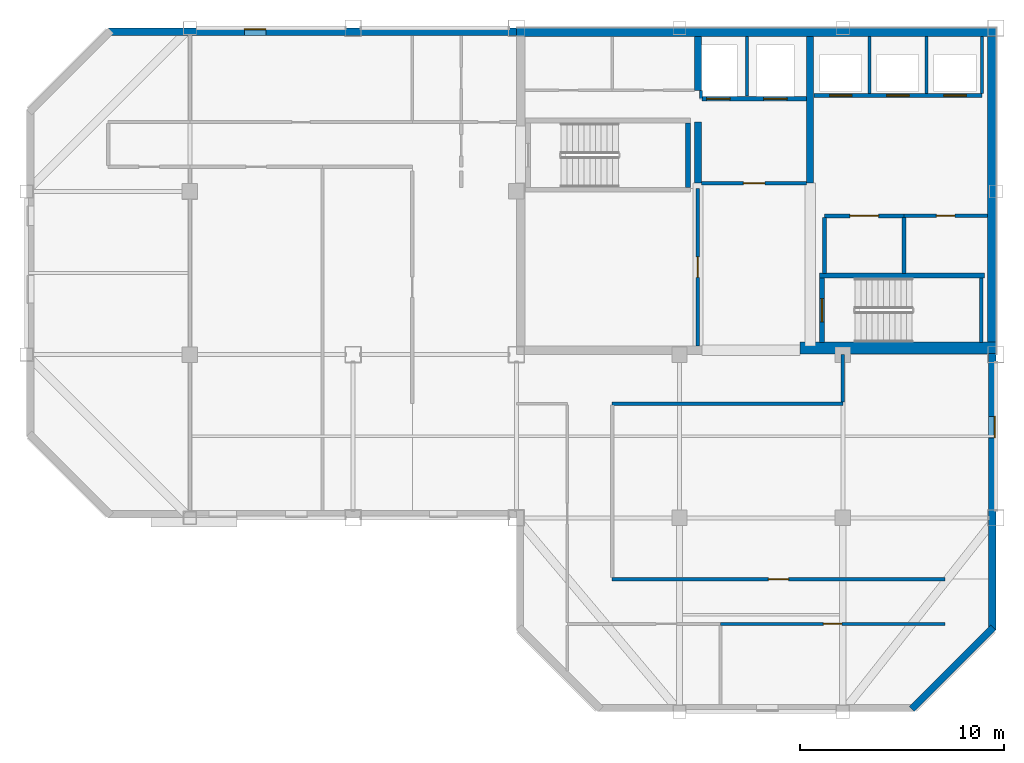
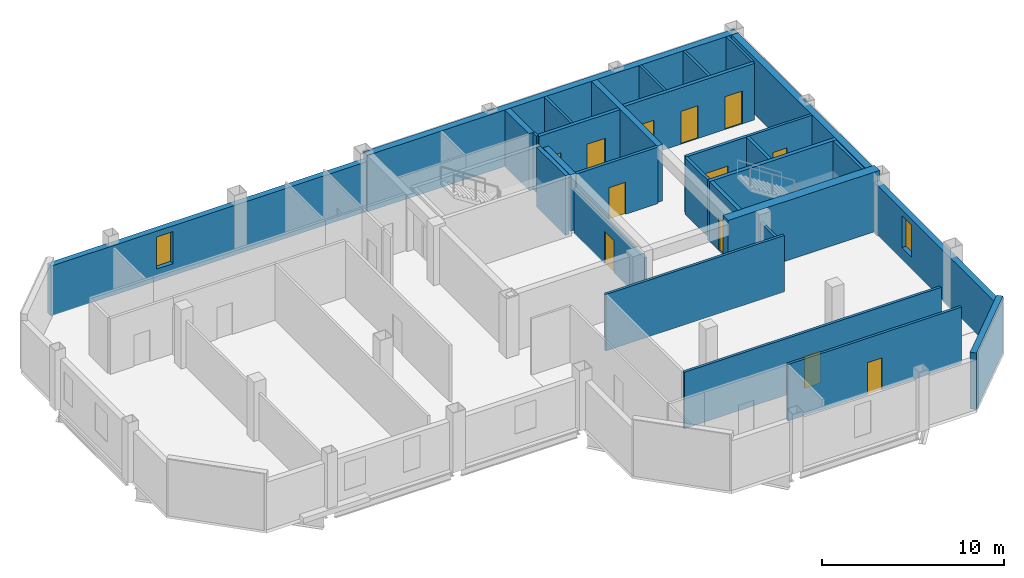
# One storey, part 3 of 7: 30 walls, 12 doors, 2 windows, 14 openings.
"""IFC4 building model written with IfcOpenShell, lengths in metres."""

from ifc_helpers import new_model, si_unit, direction, frame, frame_2d, origin, place, context, subcontext, project, spatial, rectangle, extrude, material, layer, layer_set, type_object, element, fill, save


model = new_model("IFC4")

# Units and contexts
model_context = context("Model", 3, precision=1e-05, world=origin(), true_north=direction((0.0, 1.0)))
body_context = subcontext(model_context, "Body", "Model", "MODEL_VIEW")
ifc_project = project(units=[si_unit("LENGTHUNIT", "METRE"), si_unit("AREAUNIT", "SQUARE_METRE"), si_unit("VOLUMEUNIT", "CUBIC_METRE"), si_unit("PLANEANGLEUNIT", "RADIAN"), si_unit("MASSUNIT", "GRAM", prefix="KILO")], contexts=[model_context])

# Site, building, storey
site_placement = place(None, origin())
site = spatial("IfcSite", under=ifc_project, at=site_placement, CompositionType="ELEMENT")
building_placement = place(site_placement, origin())
building = spatial("IfcBuilding", under=site, at=building_placement, Name="Qianrong Seaharbour Tower", CompositionType="ELEMENT")
storey_placement = place(building_placement, frame((0.0, 0.0, 315.199951171875)))
storey = spatial("IfcBuildingStorey", under=building, at=storey_placement, Name="L76", CompositionType="ELEMENT", Elevation=315.199951171875)

# Walls
ifc_material_1 = material(Name="Concrete C50/60", Category="concrete")
ifc_layer_1 = layer(ifc_material_1, 0.419921875)
ifc_layer_set_1 = layer_set([ifc_layer_1], Name="Concrete C50/60")
wall_type_1 = type_object("IfcWallType", Name="WALL-CORE-420", PredefinedType="SHEAR", material=ifc_layer_set_1)
wall_1_placement = place(storey_placement, frame((40.5, 51.7900390625, 0.0), z_axis=(0.0, 0.0, 1.0), x_axis=(1.0, 0.0, 0.0)))
element("IfcWall", 1, at=wall_1_placement, inside=storey, type_object=wall_type_1, Name="L76 North Core Shear Wall", PredefinedType="SHEAR", context=body_context, shape_type="SweptSolid", body=[
    extrude(rectangle(XDim=23.5, YDim=0.419921875, at=frame_2d((11.75, 0.0))), origin(), (0.0, 0.0, 1.0), 3.78515625),
])
wall_2_placement = place(storey_placement, frame((63.7900390625, 36.320068359375, 0.0), z_axis=(0.0, 0.0, 1.0), x_axis=(0.0, 1.0, 0.0)))
element("IfcWall", 2, at=wall_2_placement, inside=storey, type_object=wall_type_1, Name="L76 East Core Shear Wall", PredefinedType="SHEAR", context=body_context, shape_type="SweptSolid", body=[
    extrude(rectangle(XDim=15.260009765625, YDim=0.419921875, at=frame_2d((7.6298828125, 0.0))), origin(), (0.0, 0.0, 1.0), 3.78515625),
])
ifc_material_2 = material(Name="Concrete C70/85", Category="concrete")
ifc_layer_2 = layer(ifc_material_2, 0.580078125)
ifc_layer_set_2 = layer_set([ifc_layer_2], Name="Concrete C70/85")
wall_type_2 = type_object("IfcWallType", Name="WALL-CORE-580", PredefinedType="SHEAR", material=ifc_layer_set_2)
wall_3_placement = place(storey_placement, frame((54.39990234375, 36.320068359375, 0.0), z_axis=(0.0, 0.0, 1.0), x_axis=(1.0, 0.0, 0.0)))
element("IfcWall", 3, at=wall_3_placement, inside=storey, type_object=wall_type_2, Name="L76 South Core Shear Wall S3", PredefinedType="SHEAR", context=body_context, shape_type="SweptSolid", body=[
    extrude(rectangle(XDim=9.60009765625, YDim=0.580078125, at=frame_2d((4.800048828125, 0.0))), origin(), (0.0, 0.0, 1.0), 4.0),
])
ifc_layer_3 = layer(ifc_material_1, 0.35009765625)
ifc_layer_set_3 = layer_set([ifc_layer_3], Name="Concrete C50/60")
wall_type_3 = type_object("IfcWallType", Name="WALL-CORE-INT-350", PredefinedType="SHEAR", material=ifc_layer_set_3)
wall_4_placement = place(storey_placement, frame((49.39990234375, 44.39990234375, 0.0), z_axis=(0.0, 0.0, 1.0), x_axis=(0.0, 1.0, 0.0)))
element("IfcWall", 4, at=wall_4_placement, inside=storey, type_object=wall_type_3, Name="L76 Internal Core Shear Wall IW1N1", PredefinedType="SHEAR", context=body_context, shape_type="SweptSolid", body=[
    extrude(rectangle(XDim=3.0, YDim=0.35009765625, at=frame_2d((1.5, 0.0))), origin(), (0.0, 0.0, 1.0), 3.78515625),
])
wall_5_placement = place(storey_placement, frame((49.39990234375, 48.949951171875, 0.0), z_axis=(0.0, 0.0, 1.0), x_axis=(0.0, 1.0, 0.0)))
element("IfcWall", 5, at=wall_5_placement, inside=storey, type_object=wall_type_3, Name="L76 Internal Core Shear Wall IW1N2", PredefinedType="SHEAR", context=body_context, shape_type="SweptSolid", body=[
    extrude(rectangle(XDim=2.630126953125, YDim=0.35009765625, at=frame_2d((1.31494140625, 0.0))), origin(), (0.0, 0.0, 1.0), 3.78515625),
])
wall_6_placement = place(storey_placement, frame((54.89990234375, 44.39990234375, 0.0), z_axis=(0.0, 0.0, 1.0), x_axis=(0.0, 1.0, 0.0)))
element("IfcWall", 6, at=wall_6_placement, inside=storey, type_object=wall_type_3, Name="L76 Internal Core Shear Wall IW2N", PredefinedType="SHEAR", context=body_context, shape_type="SweptSolid", body=[
    extrude(rectangle(XDim=7.18017578125, YDim=0.35009765625, at=frame_2d((3.590087890625, 0.0))), origin(), (0.0, 0.0, 1.0), 3.78515625),
])

# Wall, opening, door
ifc_material_3 = material(Name="Fire-rated acoustic gypsum board partition")
ifc_layer_4 = layer(ifc_material_3, 0.1650390625)
ifc_layer_set_4 = layer_set([ifc_layer_4], Name="Fire-rated acoustic gypsum board partition")
wall_type_4 = type_object("IfcWallType", Name="WALL-CORR-PART-165", PredefinedType="PARTITIONING", material=ifc_layer_set_4)
wall_7_placement = place(storey_placement, frame((49.39990234375, 36.419921875, 0.0), z_axis=(0.0, 0.0, 1.0), x_axis=(0.0, 1.0, 0.0)))
wall_7 = element("IfcWall", 7, at=wall_7_placement, inside=storey, type_object=wall_type_4, Name="L76 Interior Partition Wall 010", PredefinedType="PARTITIONING", context=body_context, shape_type="SweptSolid", body=[
    extrude(rectangle(XDim=7.72998046875, YDim=0.1650390625, at=frame_2d((3.864990234375, 0.0))), origin(), (0.0, 0.0, 1.0), 3.027099609375),
])
opening_1_placement = place(wall_7_placement, frame((3.364990234375, 0.0, 0.0)))
opening_1 = element("IfcOpeningElement", 8, at=opening_1_placement, cuts=wall_7, Name="Opening DO-01", PredefinedType="OPENING", context=body_context, shape_type="SweptSolid", body=[
    extrude(rectangle(XDim=1.0, YDim=2.14990234375, at=frame_2d((0.5, 1.074951171875))), frame((0.0, 0.092529296875, 0.0), z_axis=(0.0, -1.0, 0.0), x_axis=(1.0, 0.0, 0.0)), (0.0, 0.0, 1.0), 0.18505859375),
])
ifc_material_4 = material(Name="Acoustic timber and galvanized steel fire door assembly", Category="steel")
door_type_1 = type_object("IfcDoorType", Name="DOOR-OFFICE-1000x2150", OperationType="NOTDEFINED", PredefinedType="DOOR", material=ifc_material_4)
door_1_placement = place(opening_1_placement, origin())
door_1 = element("IfcDoor", 9, at=door_1_placement, inside=storey, type_object=door_type_1, Name="L76 Data Systems Office Door", OperationType="SINGLE_SWING_RIGHT", OverallHeight=2.14990234375, OverallWidth=1.0, PredefinedType="DOOR", context=body_context, shape_type="SweptSolid", body=[
    extrude(rectangle(XDim=1.0, YDim=2.14990234375, at=frame_2d((0.5, 1.074951171875))), frame((0.0, 0.02490234375, 0.0), z_axis=(0.0, -1.0, 0.0), x_axis=(1.0, 0.0, 0.0)), (0.0, 0.0, 1.0), 0.050048828125),
])
fill(opening_1, door_1)

wall_8_placement = place(storey_placement, frame((63.580078125, 42.800048828125, 0.0), z_axis=(0.0, 0.0, 1.0), x_axis=(-1.0, 0.0, 0.0)))
wall_8 = element("IfcWall", 10, at=wall_8_placement, inside=storey, type_object=wall_type_4, Name="L76 Interior Partition Wall 013", PredefinedType="PARTITIONING", context=body_context, shape_type="SweptSolid", body=[
    extrude(rectangle(XDim=4.080078125, YDim=0.1650390625, at=frame_2d((2.0400390625, 0.0))), origin(), (0.0, 0.0, 1.0), 3.78515625),
])
opening_2_placement = place(wall_8_placement, frame((1.590087890625, 0.0, 0.0)))
opening_2 = element("IfcOpeningElement", 11, at=opening_2_placement, cuts=wall_8, Name="Opening DS-01", PredefinedType="OPENING", context=body_context, shape_type="SweptSolid", body=[
    extrude(rectangle(XDim=0.89990234375, YDim=2.14990234375, at=frame_2d((0.449951171875, 1.074951171875))), frame((0.0, 0.092529296875, 0.0), z_axis=(0.0, -1.0, 0.0), x_axis=(1.0, 0.0, 0.0)), (0.0, 0.0, 1.0), 0.18505859375),
])
door_type_2 = type_object("IfcDoorType", Name="DOOR-STORE-900x2150", OperationType="NOTDEFINED", PredefinedType="DOOR", material=ifc_material_4)
door_2_placement = place(opening_2_placement, origin())
door_2 = element("IfcDoor", 12, at=door_2_placement, inside=storey, type_object=door_type_2, Name="L76 Cleaner Store Room Door", OperationType="SINGLE_SWING_LEFT", OverallHeight=2.14990234375, OverallWidth=0.89990234375, PredefinedType="DOOR", context=body_context, shape_type="SweptSolid", body=[
    extrude(rectangle(XDim=0.89990234375, YDim=2.14990234375, at=frame_2d((0.449951171875, 1.074951171875))), frame((0.0, 0.02490234375, 0.0), z_axis=(0.0, -1.0, 0.0), x_axis=(1.0, 0.0, 0.0)), (0.0, 0.0, 1.0), 0.050048828125),
])
fill(opening_2, door_2)

# Walls
wall_9_placement = place(storey_placement, frame((56.5, 36.0, 0.0), z_axis=(0.0, 0.0, 1.0), x_axis=(0.0, -1.0, 0.0)))
element("IfcWall", 13, at=wall_9_placement, inside=storey, type_object=wall_type_4, Name="L76 Interior Partition Wall 023", PredefinedType="PARTITIONING", context=body_context, shape_type="SweptSolid", body=[
    extrude(rectangle(XDim=2.325439453125, YDim=0.1650390625, at=frame_2d((1.16259765625, 0.0))), origin(), (0.0, 0.0, 1.0), 3.177001953125),
])
wall_10_placement = place(storey_placement, frame((56.5, 33.60009765625, 0.0), z_axis=(0.0, 0.0, 1.0), x_axis=(-1.0, 0.0, 0.0)))
element("IfcWall", 14, at=wall_10_placement, inside=storey, type_object=wall_type_4, Name="L76 Interior Partition Wall 024", PredefinedType="PARTITIONING", context=body_context, shape_type="SweptSolid", body=[
    extrude(rectangle(XDim=11.300048828125, YDim=0.1650390625, at=frame_2d((5.64990234375, 0.0))), origin(), (0.0, 0.0, 1.0), 3.78515625),
])

# Wall, opening, door
wall_11_placement = place(storey_placement, frame((45.199951171875, 25.0, 0.0), z_axis=(0.0, 0.0, 1.0), x_axis=(1.0, 0.0, 0.0)))
wall_11 = element("IfcWall", 15, at=wall_11_placement, inside=storey, type_object=wall_type_4, Name="L76 Interior Partition Wall 029", PredefinedType="PARTITIONING", context=body_context, shape_type="SweptSolid", body=[
    extrude(rectangle(XDim=16.300048828125, YDim=0.1650390625, at=frame_2d((8.14990234375, 0.0))), origin(), (0.0, 0.0, 1.0), 3.78515625),
])
opening_3_placement = place(wall_11_placement, frame((7.64990234375, 0.0, 0.0)))
opening_3 = element("IfcOpeningElement", 16, at=opening_3_placement, cuts=wall_11, Name="Opening DO-01", PredefinedType="OPENING", context=body_context, shape_type="SweptSolid", body=[
    extrude(rectangle(XDim=1.0, YDim=2.14990234375, at=frame_2d((0.5, 1.074951171875))), frame((0.0, 0.092529296875, 0.0), z_axis=(0.0, -1.0, 0.0), x_axis=(1.0, 0.0, 0.0)), (0.0, 0.0, 1.0), 0.18505859375),
])
door_3_placement = place(opening_3_placement, origin())
door_3 = element("IfcDoor", 17, at=door_3_placement, inside=storey, type_object=door_type_1, Name="L76 Staff Club Assembly Hall Door", OperationType="SINGLE_SWING_RIGHT", OverallHeight=2.14990234375, OverallWidth=1.0, PredefinedType="DOOR", context=body_context, shape_type="SweptSolid", body=[
    extrude(rectangle(XDim=1.0, YDim=2.14990234375, at=frame_2d((0.5, 1.074951171875))), frame((0.0, 0.02490234375, 0.0), z_axis=(0.0, -1.0, 0.0), x_axis=(1.0, 0.0, 0.0)), (0.0, 0.0, 1.0), 0.050048828125),
])
fill(opening_3, door_3)

wall_12_placement = place(storey_placement, frame((61.5, 22.800048828125, 0.0), z_axis=(0.0, 0.0, 1.0), x_axis=(-1.0, 0.0, 0.0)))
wall_12 = element("IfcWall", 18, at=wall_12_placement, inside=storey, type_object=wall_type_4, Name="L76 Interior Partition Wall 031", PredefinedType="PARTITIONING", context=body_context, shape_type="SweptSolid", body=[
    extrude(rectangle(XDim=11.0, YDim=0.1650390625, at=frame_2d((5.5, 0.0))), origin(), (0.0, 0.0, 1.0), 3.78515625),
])
opening_4_placement = place(wall_12_placement, frame((5.050048828125, 0.0, 0.0)))
opening_4 = element("IfcOpeningElement", 19, at=opening_4_placement, cuts=wall_12, Name="Opening DS-01", PredefinedType="OPENING", context=body_context, shape_type="SweptSolid", body=[
    extrude(rectangle(XDim=0.89990234375, YDim=2.14990234375, at=frame_2d((0.449951171875, 1.074951171875))), frame((0.0, 0.092529296875, 0.0), z_axis=(0.0, -1.0, 0.0), x_axis=(1.0, 0.0, 0.0)), (0.0, 0.0, 1.0), 0.18505859375),
])
door_4_placement = place(opening_4_placement, origin())
door_4 = element("IfcDoor", 20, at=door_4_placement, inside=storey, type_object=door_type_2, Name="L76 Corporate Archive Room 2 Door", OperationType="SINGLE_SWING_LEFT", OverallHeight=2.14990234375, OverallWidth=0.89990234375, PredefinedType="DOOR", context=body_context, shape_type="SweptSolid", body=[
    extrude(rectangle(XDim=0.89990234375, YDim=2.14990234375, at=frame_2d((0.449951171875, 1.074951171875))), frame((0.0, 0.02490234375, 0.0), z_axis=(0.0, -1.0, 0.0), x_axis=(1.0, 0.0, 0.0)), (0.0, 0.0, 1.0), 0.050048828125),
])
fill(opening_4, door_4)

# Wall, opening, window
ifc_material_5 = material(Name="Unitised red brick on Precast concrete C45/55", Category="masonry")
ifc_layer_5 = layer(ifc_material_5, 0.360107421875)
ifc_layer_set_5 = layer_set([ifc_layer_5], Name="Unitised red brick on Precast concrete C45/55")
wall_type_5 = type_object("IfcWallType", Name="WALL-EXT-BRICK-RED-360", PredefinedType="SOLIDWALL", material=ifc_layer_set_5)
wall_13_placement = place(storey_placement, frame((20.5, 51.820068359375, 0.0), z_axis=(0.0, 0.0, 1.0), x_axis=(1.0, 0.0, 0.0)))
wall_13 = element("IfcWall", 21, at=wall_13_placement, inside=storey, type_object=wall_type_5, Name="L76 Exterior Masonry Facade Wall NORTH_WING", PredefinedType="SOLIDWALL", context=body_context, shape_type="SweptSolid", body=[
    extrude(rectangle(XDim=20.02001953125, YDim=0.360107421875, at=frame_2d((10.010009765625, 0.0))), origin(), (0.0, 0.0, 1.0), 3.3349609375),
])
opening_5_placement = place(wall_13_placement, frame((6.675048828125, 0.0, 0.800048828125)))
opening_5 = element("IfcOpeningElement", 22, at=opening_5_placement, cuts=wall_13, Name="Opening WN-14", PredefinedType="OPENING", context=body_context, shape_type="SweptSolid", body=[
    extrude(rectangle(XDim=1.050048828125, YDim=2.14990234375, at=frame_2d((0.52490234375, 1.074951171875))), frame((0.0, 0.18994140625, 0.0), z_axis=(0.0, -1.0, 0.0), x_axis=(1.0, 0.0, 0.0)), (0.0, 0.0, 1.0), 0.380126953125),
])
ifc_material_6 = material(Name="Insulated low-e double glazing in thermally broken aluminium 6063-T6 frame", Category="aluminium")
window_type = type_object("IfcWindowType", Name="WIN-NARROW-1050x2150", PartitioningType="SINGLE_PANEL", PredefinedType="WINDOW", material=ifc_material_6)
window_1_placement = place(opening_5_placement, origin())
window_1 = element("IfcWindow", 23, at=window_1_placement, inside=storey, type_object=window_type, Name="L76 Deep-Set Punched Window 05.02", OverallHeight=2.14990234375, OverallWidth=1.050048828125, PartitioningType="SINGLE_PANEL", PredefinedType="WINDOW", context=body_context, shape_type="SweptSolid", body=[
    extrude(rectangle(XDim=1.050048828125, YDim=2.14990234375, at=frame_2d((0.52490234375, 1.074951171875))), frame((0.0, 0.150146484375, 0.0), z_axis=(0.0, -1.0, 0.0), x_axis=(1.0, 0.0, 0.0)), (0.0, 0.0, 1.0), 0.06005859375),
])
fill(opening_5, window_1)

wall_14_placement = place(storey_placement, frame((63.820068359375, 36.050048828125, 0.0), z_axis=(0.0, 0.0, 1.0), x_axis=(0.0, -1.0, 0.0)))
wall_14 = element("IfcWall", 24, at=wall_14_placement, inside=storey, type_object=wall_type_5, Name="L76 Exterior Masonry Facade Wall EAST_WING", PredefinedType="SOLIDWALL", context=body_context, shape_type="SweptSolid", body=[
    extrude(rectangle(XDim=13.550048828125, YDim=0.360107421875, at=frame_2d((6.77490234375, 0.0))), origin(), (0.0, 0.0, 1.0), 3.3349609375),
])
opening_6_placement = place(wall_14_placement, frame((3.074951171875, 0.0, 0.800048828125)))
opening_6 = element("IfcOpeningElement", 25, at=opening_6_placement, cuts=wall_14, Name="Opening WN-14", PredefinedType="OPENING", context=body_context, shape_type="SweptSolid", body=[
    extrude(rectangle(XDim=1.050048828125, YDim=2.14990234375, at=frame_2d((0.52490234375, 1.074951171875))), frame((0.0, 0.18994140625, 0.0), z_axis=(0.0, -1.0, 0.0), x_axis=(1.0, 0.0, 0.0)), (0.0, 0.0, 1.0), 0.380126953125),
])
window_2_placement = place(opening_6_placement, origin())
window_2 = element("IfcWindow", 26, at=window_2_placement, inside=storey, type_object=window_type, Name="L76 Deep-Set Punched Window 06.01", OverallHeight=2.14990234375, OverallWidth=1.050048828125, PartitioningType="SINGLE_PANEL", PredefinedType="WINDOW", context=body_context, shape_type="SweptSolid", body=[
    extrude(rectangle(XDim=1.050048828125, YDim=2.14990234375, at=frame_2d((0.52490234375, 1.074951171875))), frame((0.0, 0.150146484375, 0.0), z_axis=(0.0, -1.0, 0.0), x_axis=(1.0, 0.0, 0.0)), (0.0, 0.0, 1.0), 0.06005859375),
])
fill(opening_6, window_2)

# Wall
wall_15_placement = place(storey_placement, frame((63.872802734375, 22.627197265625, 0.0), z_axis=(0.0, 0.0, 1.0), x_axis=(-0.707106781187, -0.707106781187, 0.0)))
element("IfcWall", 27, at=wall_15_placement, inside=storey, type_object=wall_type_5, Name="L76 Exterior Masonry Facade Wall E07", PredefinedType="SOLIDWALL", context=body_context, shape_type="SweptSolid", body=[
    extrude(rectangle(XDim=5.65673828125, YDim=0.360107421875, at=frame_2d((2.828369140625, 0.0))), origin(), (0.0, 0.0, 1.0), 3.78515625),
])

# Wall, opening, door
ifc_material_7 = material(Name="Double fire-rated gypsum board acoustic partition")
ifc_layer_6 = layer(ifc_material_7, 0.18994140625)
ifc_layer_set_6 = layer_set([ifc_layer_6], Name="Double fire-rated gypsum board acoustic partition")
wall_type_6 = type_object("IfcWallType", Name="WALL-FIRE-PART-190", PredefinedType="PARTITIONING", material=ifc_layer_set_6)
wall_16_placement = place(storey_placement, frame((54.73291015625, 44.39990234375, 0.0), z_axis=(0.0, 0.0, 1.0), x_axis=(-1.0, 0.0, 0.0)))
wall_16 = element("IfcWall", 28, at=wall_16_placement, inside=storey, type_object=wall_type_6, Name="L76 Interior Partition Wall 009", PredefinedType="PARTITIONING", context=body_context, shape_type="SweptSolid", body=[
    extrude(rectangle(XDim=5.166015625, YDim=0.18994140625, at=frame_2d((2.5830078125, 0.0))), origin(), (0.0, 0.0, 1.0), 3.78515625),
])
opening_7_placement = place(wall_16_placement, frame((2.05810546875, 0.0, 0.0)))
opening_7 = element("IfcOpeningElement", 29, at=opening_7_placement, cuts=wall_16, Name="Opening DC-01", PredefinedType="OPENING", context=body_context, shape_type="SweptSolid", body=[
    extrude(rectangle(XDim=1.050048828125, YDim=2.14990234375, at=frame_2d((0.52490234375, 1.074951171875))), frame((0.0, 0.10498046875, 0.0), z_axis=(0.0, -1.0, 0.0), x_axis=(1.0, 0.0, 0.0)), (0.0, 0.0, 1.0), 0.2099609375),
])
door_type_3 = type_object("IfcDoorType", Name="DOOR-CORR-FD60-1050x2150", OperationType="NOTDEFINED", PredefinedType="DOOR", material=ifc_material_4)
door_5_placement = place(opening_7_placement, origin())
door_5 = element("IfcDoor", 30, at=door_5_placement, inside=storey, type_object=door_type_3, Name="L76 Firefighting Lift Lobby Door", OperationType="SINGLE_SWING_LEFT", OverallHeight=2.14990234375, OverallWidth=1.050048828125, PredefinedType="DOOR", context=body_context, shape_type="SweptSolid", body=[
    extrude(rectangle(XDim=1.050048828125, YDim=2.14990234375, at=frame_2d((0.52490234375, 1.074951171875))), frame((0.0, 0.02490234375, 0.0), z_axis=(0.0, -1.0, 0.0), x_axis=(1.0, 0.0, 0.0)), (0.0, 0.0, 1.0), 0.050048828125),
])
fill(opening_7, door_5)

# Wall
wall_17_placement = place(storey_placement, frame((55.60009765625, 42.712890625, 0.0), z_axis=(0.0, 0.0, 1.0), x_axis=(0.0, -1.0, 0.0)))
element("IfcWall", 31, at=wall_17_placement, inside=storey, type_object=wall_type_6, Name="L76 Interior Partition Wall 011", PredefinedType="PARTITIONING", context=body_context, shape_type="SweptSolid", body=[
    extrude(rectangle(XDim=2.73095703125, YDim=0.18994140625, at=frame_2d((1.365478515625, 0.0))), origin(), (0.0, 0.0, 1.0), 3.78515625),
])

# Wall, opening, door
wall_18_placement = place(storey_placement, frame((59.5, 42.800048828125, 0.0), z_axis=(0.0, 0.0, 1.0), x_axis=(-1.0, 0.0, 0.0)))
wall_18 = element("IfcWall", 32, at=wall_18_placement, inside=storey, type_object=wall_type_6, Name="L76 Interior Partition Wall 012", PredefinedType="PARTITIONING", context=body_context, shape_type="SweptSolid", body=[
    extrude(rectangle(XDim=3.89990234375, YDim=0.18994140625, at=frame_2d((1.949951171875, 0.0))), origin(), (0.0, 0.0, 1.0), 3.78515625),
])
opening_8_placement = place(wall_18_placement, frame((1.25, 0.0, 0.0)))
opening_8 = element("IfcOpeningElement", 33, at=opening_8_placement, cuts=wall_18, Name="Opening DP-01", PredefinedType="OPENING", context=body_context, shape_type="SweptSolid", body=[
    extrude(rectangle(XDim=1.39990234375, YDim=2.25, at=frame_2d((0.699951171875, 1.125))), frame((0.0, 0.10498046875, 0.0), z_axis=(0.0, -1.0, 0.0), x_axis=(1.0, 0.0, 0.0)), (0.0, 0.0, 1.0), 0.2099609375),
])
door_type_4 = type_object("IfcDoorType", Name="DOOR-PLANT-PAIR-1400x2250", OperationType="DOUBLE_DOOR_SINGLE_SWING", PredefinedType="DOOR", material=ifc_material_4)
door_6_placement = place(opening_8_placement, origin())
door_6 = element("IfcDoor", 34, at=door_6_placement, inside=storey, type_object=door_type_4, Name="L76 Electrical Substation Door", OperationType="DOUBLE_DOOR_SINGLE_SWING", OverallHeight=2.25, OverallWidth=1.39990234375, PredefinedType="DOOR", context=body_context, shape_type="SweptSolid", body=[
    extrude(rectangle(XDim=1.39990234375, YDim=2.25, at=frame_2d((0.699951171875, 1.125))), frame((0.0, 0.02490234375, 0.0), z_axis=(0.0, -1.0, 0.0), x_axis=(1.0, 0.0, 0.0)), (0.0, 0.0, 1.0), 0.050048828125),
])
fill(opening_8, door_6)

# Walls
wall_19_placement = place(storey_placement, frame((59.5, 42.712890625, 0.0), z_axis=(0.0, 0.0, 1.0), x_axis=(0.0, -1.0, 0.0)))
element("IfcWall", 35, at=wall_19_placement, inside=storey, type_object=wall_type_6, Name="L76 Interior Partition Wall 015", PredefinedType="PARTITIONING", context=body_context, shape_type="SweptSolid", body=[
    extrude(rectangle(XDim=2.73095703125, YDim=0.18994140625, at=frame_2d((1.365478515625, 0.0))), origin(), (0.0, 0.0, 1.0), 3.78515625),
])
ifc_material_8 = material(Name="Fire-rated gypsum board on steel studs", Category="steel")
ifc_layer_7 = layer(ifc_material_8, 0.14990234375)
ifc_layer_set_7 = layer_set([ifc_layer_7], Name="Fire-rated gypsum board on steel studs")
wall_type_7 = type_object("IfcWallType", Name="WALL-SHAFT-DIV-150", PredefinedType="PARTITIONING", material=ifc_layer_set_7)
wall_20_placement = place(storey_placement, frame((51.800048828125, 48.669921875, 0.0), z_axis=(0.0, 0.0, 1.0), x_axis=(0.0, 1.0, 0.0)))
element("IfcWall", 36, at=wall_20_placement, inside=storey, type_object=wall_type_7, Name="L76 Firefighting Lift Shaft Divider Wall", PredefinedType="PARTITIONING", context=body_context, shape_type="SweptSolid", body=[
    extrude(rectangle(XDim=2.91015625, YDim=0.14990234375, at=frame_2d((1.455078125, 0.0))), origin(), (0.0, 0.0, 1.0), 3.78515625),
])
wall_21_placement = place(storey_placement, frame((49.550048828125, 48.550048828125, 0.0), z_axis=(0.0, 0.0, 1.0), x_axis=(0.0, 1.0, 0.0)))
element("IfcWall", 37, at=wall_21_placement, inside=storey, type_object=wall_type_7, Name="L76 Firefighting Lift Shaft West Return Wall", PredefinedType="PARTITIONING", context=body_context, shape_type="SweptSolid", body=[
    extrude(rectangle(XDim=0.39990234375, YDim=0.14990234375, at=frame_2d((0.199951171875, 0.0))), origin(), (0.0, 0.0, 1.0), 3.78515625),
])
for number, where, z_axis, x_axis, name in (
    (38, (57.800048828125, 48.81005859375, 0.0), (0.0, 0.0, 1.0), (0.0, 1.0, 0.0), "L76 P4 Lift Hoistway Divider 2"),
    (39, (60.60009765625, 48.81005859375, 0.0), (0.0, 0.0, 1.0), (0.0, 1.0, 0.0), "L76 P4 Lift Hoistway Divider 3"),
    (40, (63.320068359375, 48.81005859375, 0.0), (0.0, 0.0, 1.0), (0.0, 1.0, 0.0), "L76 P4 Lift Hoistway Divider 4"),
):
    element("IfcWall", number, at=place(storey_placement, frame(where, z_axis=z_axis, x_axis=x_axis)), inside=storey, type_object=wall_type_7, Name=name, PredefinedType="PARTITIONING", context=body_context, shape_type="SweptSolid", body=[
        extrude(rectangle(XDim=2.77001953125, YDim=0.14990234375, at=frame_2d((1.385009765625, 0.0))), origin(), (0.0, 0.0, 1.0), 3.78515625),
    ])

# Wall, openings, doors
ifc_layer_8 = layer(ifc_material_8, 0.219970703125)
ifc_layer_set_8 = layer_set([ifc_layer_8], Name="Fire-rated gypsum board on steel studs")
wall_type_8 = type_object("IfcWallType", Name="WALL-SHAFT-GYP220", PredefinedType="PARTITIONING", material=ifc_layer_set_8)
wall_22_placement = place(storey_placement, frame((54.7099609375, 48.550048828125, 0.0), z_axis=(0.0, 0.0, 1.0), x_axis=(-1.0, 0.0, 0.0)))
wall_22 = element("IfcWall", 41, at=wall_22_placement, inside=storey, type_object=wall_type_8, Name="L76 Firefighting Lift Shaft Front Wall", PredefinedType="PARTITIONING", context=body_context, shape_type="SweptSolid", body=[
    extrude(rectangle(XDim=5.119873046875, YDim=0.219970703125, at=frame_2d((2.56005859375, 0.0))), origin(), (0.0, 0.0, 1.0), 3.78515625),
])
opening_9_placement = place(wall_22_placement, frame((3.735107421875, 0.0, 0.0)))
opening_9 = element("IfcOpeningElement", 42, at=opening_9_placement, cuts=wall_22, Name="Opening LD-01", PredefinedType="OPENING", context=body_context, shape_type="SweptSolid", body=[
    extrude(rectangle(XDim=1.14990234375, YDim=2.199951171875, at=frame_2d((0.574951171875, 1.10009765625))), frame((0.0, 0.1201171875, 0.0), z_axis=(0.0, -1.0, 0.0), x_axis=(1.0, 0.0, 0.0)), (0.0, 0.0, 1.0), 0.239990234375),
])
opening_10_placement = place(wall_22_placement, frame((0.93505859375, 0.0, 0.0)))
opening_10 = element("IfcOpeningElement", 43, at=opening_10_placement, cuts=wall_22, Name="Opening LD-01", PredefinedType="OPENING", context=body_context, shape_type="SweptSolid", body=[
    extrude(rectangle(XDim=1.14990234375, YDim=2.199951171875, at=frame_2d((0.574951171875, 1.10009765625))), frame((0.0, 0.1201171875, 0.0), z_axis=(0.0, -1.0, 0.0), x_axis=(1.0, 0.0, 0.0)), (0.0, 0.0, 1.0), 0.239990234375),
])
ifc_material_9 = material(Name="Stainless steel SUS316L bi-parting lift landing door", Category="steel")
door_type_5 = type_object("IfcDoorType", Name="DOOR-LIFT-FF-1150x2200", OperationType="DOUBLE_DOOR_SLIDING", PredefinedType="DOOR", material=ifc_material_9)
door_7_placement = place(opening_9_placement, origin())
door_7 = element("IfcDoor", 44, at=door_7_placement, inside=storey, type_object=door_type_5, Name="L76 FL-1 Firefighting Lift Landing Door", OperationType="DOUBLE_DOOR_SLIDING", OverallHeight=2.199951171875, OverallWidth=1.14990234375, PredefinedType="DOOR", context=body_context, shape_type="SweptSolid", body=[
    extrude(rectangle(XDim=1.14990234375, YDim=2.199951171875, at=frame_2d((0.574951171875, 1.10009765625))), frame((0.0, 0.02490234375, 0.0), z_axis=(0.0, -1.0, 0.0), x_axis=(1.0, 0.0, 0.0)), (0.0, 0.0, 1.0), 0.050048828125),
])
fill(opening_9, door_7)
door_8_placement = place(opening_10_placement, origin())
door_8 = element("IfcDoor", 45, at=door_8_placement, inside=storey, type_object=door_type_5, Name="L76 FL-2 Firefighting Lift Landing Door", OperationType="DOUBLE_DOOR_SLIDING", OverallHeight=2.199951171875, OverallWidth=1.14990234375, PredefinedType="DOOR", context=body_context, shape_type="SweptSolid", body=[
    extrude(rectangle(XDim=1.14990234375, YDim=2.199951171875, at=frame_2d((0.574951171875, 1.10009765625))), frame((0.0, 0.02490234375, 0.0), z_axis=(0.0, -1.0, 0.0), x_axis=(1.0, 0.0, 0.0)), (0.0, 0.0, 1.0), 0.050048828125),
])
fill(opening_10, door_8)

wall_23_placement = place(storey_placement, frame((63.320068359375, 48.699951171875, 0.0), z_axis=(0.0, 0.0, 1.0), x_axis=(-1.0, 0.0, 0.0)))
wall_23 = element("IfcWall", 46, at=wall_23_placement, inside=storey, type_object=wall_type_8, Name="L76 P4 Lift Hoistway Front Wall", PredefinedType="PARTITIONING", context=body_context, shape_type="SweptSolid", body=[
    extrude(rectangle(XDim=8.239990234375, YDim=0.219970703125, at=frame_2d((4.1201171875, 0.0))), origin(), (0.0, 0.0, 1.0), 3.78515625),
])
opening_11_placement = place(wall_23_placement, frame((6.3701171875, 0.0, 0.0)))
opening_11 = element("IfcOpeningElement", 47, at=opening_11_placement, cuts=wall_23, Name="Opening LD-02", PredefinedType="OPENING", context=body_context, shape_type="SweptSolid", body=[
    extrude(rectangle(XDim=1.10009765625, YDim=2.199951171875, at=frame_2d((0.550048828125, 1.10009765625))), frame((0.0, 0.1201171875, 0.0), z_axis=(0.0, -1.0, 0.0), x_axis=(1.0, 0.0, 0.0)), (0.0, 0.0, 1.0), 0.239990234375),
])
opening_12_placement = place(wall_23_placement, frame((3.570068359375, 0.0, 0.0)))
opening_12 = element("IfcOpeningElement", 48, at=opening_12_placement, cuts=wall_23, Name="Opening LD-02", PredefinedType="OPENING", context=body_context, shape_type="SweptSolid", body=[
    extrude(rectangle(XDim=1.10009765625, YDim=2.199951171875, at=frame_2d((0.550048828125, 1.10009765625))), frame((0.0, 0.1201171875, 0.0), z_axis=(0.0, -1.0, 0.0), x_axis=(1.0, 0.0, 0.0)), (0.0, 0.0, 1.0), 0.239990234375),
])
opening_13_placement = place(wall_23_placement, frame((0.77001953125, 0.0, 0.0)))
opening_13 = element("IfcOpeningElement", 49, at=opening_13_placement, cuts=wall_23, Name="Opening LD-02", PredefinedType="OPENING", context=body_context, shape_type="SweptSolid", body=[
    extrude(rectangle(XDim=1.10009765625, YDim=2.199951171875, at=frame_2d((0.550048828125, 1.10009765625))), frame((0.0, 0.1201171875, 0.0), z_axis=(0.0, -1.0, 0.0), x_axis=(1.0, 0.0, 0.0)), (0.0, 0.0, 1.0), 0.239990234375),
])
door_type_6 = type_object("IfcDoorType", Name="DOOR-LIFT-PASS-1100x2200", OperationType="DOUBLE_DOOR_SLIDING", PredefinedType="DOOR", material=ifc_material_9)
door_9_placement = place(opening_11_placement, origin())
door_9 = element("IfcDoor", 50, at=door_9_placement, inside=storey, type_object=door_type_6, Name="L76 PL-4A Lift Landing Door", OperationType="DOUBLE_DOOR_SLIDING", OverallHeight=2.199951171875, OverallWidth=1.10009765625, PredefinedType="DOOR", context=body_context, shape_type="SweptSolid", body=[
    extrude(rectangle(XDim=1.10009765625, YDim=2.199951171875, at=frame_2d((0.550048828125, 1.10009765625))), frame((0.0, 0.02490234375, 0.0), z_axis=(0.0, -1.0, 0.0), x_axis=(1.0, 0.0, 0.0)), (0.0, 0.0, 1.0), 0.050048828125),
])
fill(opening_11, door_9)
door_10_placement = place(opening_12_placement, origin())
door_10 = element("IfcDoor", 51, at=door_10_placement, inside=storey, type_object=door_type_6, Name="L76 PL-4B Lift Landing Door", OperationType="DOUBLE_DOOR_SLIDING", OverallHeight=2.199951171875, OverallWidth=1.10009765625, PredefinedType="DOOR", context=body_context, shape_type="SweptSolid", body=[
    extrude(rectangle(XDim=1.10009765625, YDim=2.199951171875, at=frame_2d((0.550048828125, 1.10009765625))), frame((0.0, 0.02490234375, 0.0), z_axis=(0.0, -1.0, 0.0), x_axis=(1.0, 0.0, 0.0)), (0.0, 0.0, 1.0), 0.050048828125),
])
fill(opening_12, door_10)
door_11_placement = place(opening_13_placement, origin())
door_11 = element("IfcDoor", 52, at=door_11_placement, inside=storey, type_object=door_type_6, Name="L76 PL-4C Lift Landing Door", OperationType="DOUBLE_DOOR_SLIDING", OverallHeight=2.199951171875, OverallWidth=1.10009765625, PredefinedType="DOOR", context=body_context, shape_type="SweptSolid", body=[
    extrude(rectangle(XDim=1.10009765625, YDim=2.199951171875, at=frame_2d((0.550048828125, 1.10009765625))), frame((0.0, 0.02490234375, 0.0), z_axis=(0.0, -1.0, 0.0), x_axis=(1.0, 0.0, 0.0)), (0.0, 0.0, 1.0), 0.050048828125),
])
fill(opening_13, door_11)

# Walls
ifc_layer_9 = layer(ifc_material_1, 0.239990234375)
ifc_layer_set_9 = layer_set([ifc_layer_9], Name="Concrete C50/60")
wall_type_9 = type_object("IfcWallType", Name="WALL-SHAFT-RC240", PredefinedType="SOLIDWALL", material=ifc_layer_set_9)
wall_24_placement = place(storey_placement, frame((48.919921875, 44.199951171875, 0.0), z_axis=(0.0, 0.0, 1.0), x_axis=(0.0, 1.0, 0.0)))
element("IfcWall", 53, at=wall_24_placement, inside=storey, type_object=wall_type_9, Name="L76 ST-1 Structural Stair Core Wall E", PredefinedType="SOLIDWALL", context=body_context, shape_type="SweptSolid", body=[
    extrude(rectangle(XDim=3.150146484375, YDim=0.239990234375, at=frame_2d((1.5751953125, 0.0))), origin(), (0.0, 0.0, 1.0), 4.0),
])
wall_25_placement = place(storey_placement, frame((55.360107421875, 39.8701171875, 0.0), z_axis=(0.0, 0.0, 1.0), x_axis=(1.0, 0.0, 0.0)))
element("IfcWall", 54, at=wall_25_placement, inside=storey, type_object=wall_type_9, Name="L76 ST-2 Structural Stair Core Wall N", PredefinedType="SOLIDWALL", context=body_context, shape_type="SweptSolid", body=[
    extrude(rectangle(XDim=8.079833984375, YDim=0.239990234375, at=frame_2d((4.0400390625, 0.0))), origin(), (0.0, 0.0, 1.0), 4.0),
])

# Wall, opening, door
wall_26_placement = place(storey_placement, frame((55.47998046875, 39.75, 0.0), z_axis=(0.0, 0.0, 1.0), x_axis=(0.0, -1.0, 0.0)))
wall_26 = element("IfcWall", 55, at=wall_26_placement, inside=storey, type_object=wall_type_9, Name="L76 ST-2 Structural Stair Core Wall W", PredefinedType="SOLIDWALL", context=body_context, shape_type="SweptSolid", body=[
    extrude(rectangle(XDim=3.14990234375, YDim=0.239990234375, at=frame_2d((1.574951171875, 0.0))), origin(), (0.0, 0.0, 1.0), 4.0),
])
opening_14_placement = place(wall_26_placement, frame((1.0, 0.0, 0.0)))
opening_14 = element("IfcOpeningElement", 56, at=opening_14_placement, cuts=wall_26, Name="Opening SD-01", PredefinedType="OPENING", context=body_context, shape_type="SweptSolid", body=[
    extrude(rectangle(XDim=1.14990234375, YDim=2.199951171875, at=frame_2d((0.574951171875, 1.10009765625))), frame((0.0, 0.1298828125, 0.0), z_axis=(0.0, -1.0, 0.0), x_axis=(1.0, 0.0, 0.0)), (0.0, 0.0, 1.0), 0.260009765625),
])
door_type_7 = type_object("IfcDoorType", Name="DOOR-STAIR-FD60-1150x2200", OperationType="NOTDEFINED", PredefinedType="DOOR", material=ifc_material_4)
door_12_placement = place(opening_14_placement, origin())
door_12 = element("IfcDoor", 57, at=door_12_placement, inside=storey, type_object=door_type_7, Name="L76 ST-2 Protected Stair Door", OperationType="SINGLE_SWING_LEFT", OverallHeight=2.199951171875, OverallWidth=1.14990234375, PredefinedType="DOOR", context=body_context, shape_type="SweptSolid", body=[
    extrude(rectangle(XDim=1.14990234375, YDim=2.199951171875, at=frame_2d((0.574951171875, 1.10009765625))), frame((0.0, 0.02490234375, 0.0), z_axis=(0.0, -1.0, 0.0), x_axis=(1.0, 0.0, 0.0)), (0.0, 0.0, 1.0), 0.050048828125),
])
fill(opening_14, door_12)

# Wall
wall_27_placement = place(storey_placement, frame((63.2900390625, 36.60009765625, 0.0), z_axis=(0.0, 0.0, 1.0), x_axis=(0.0, 1.0, 0.0)))
element("IfcWall", 58, at=wall_27_placement, inside=storey, type_object=wall_type_9, Name="L76 ST-2 Structural Stair Core Wall E", PredefinedType="SOLIDWALL", context=body_context, shape_type="SweptSolid", body=[
    extrude(rectangle(XDim=3.14990234375, YDim=0.179931640625, at=frame_2d((1.574951171875, 0.0))), origin(), (0.0, 0.0, 1.0), 4.0),
])

save(model, "model.ifc")
